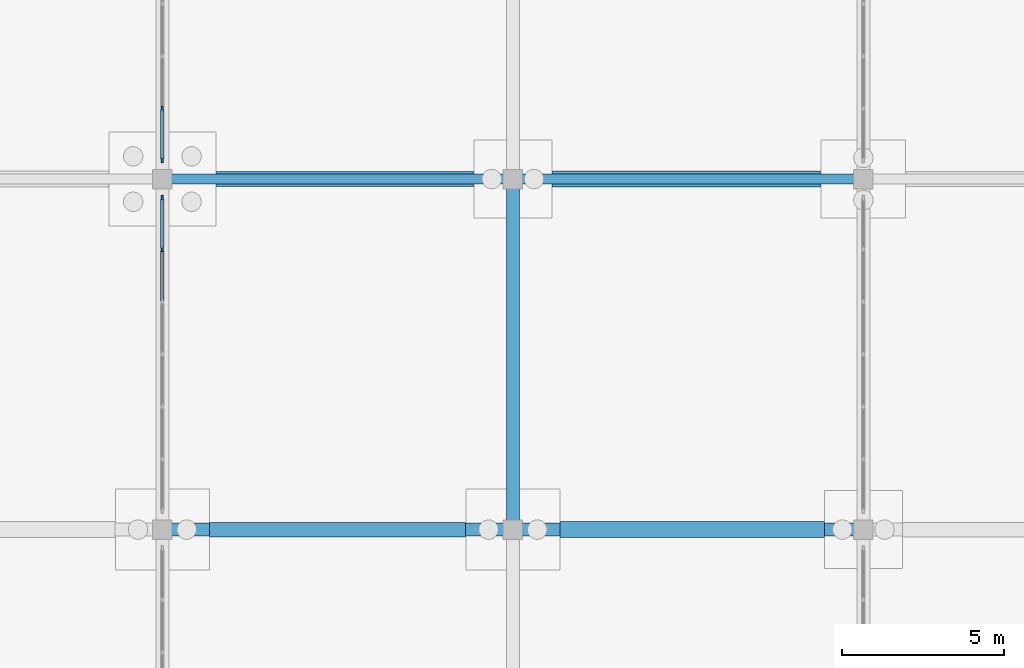
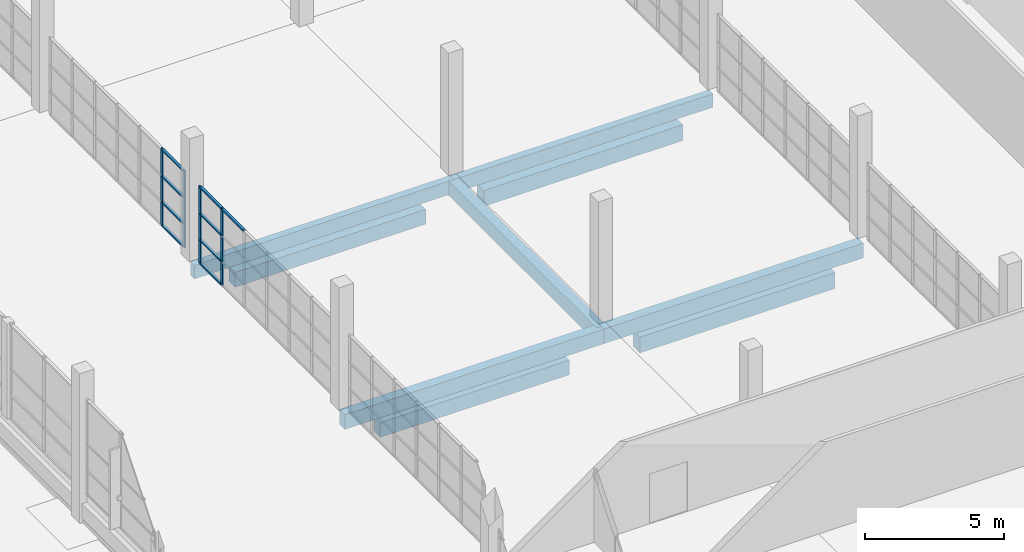
# One storey, part 23 of 138: 13 members, 9 beams, 2 elements without a shape of their own.
"""IFC4 building model written with IfcOpenShell, lengths in metres."""

from ifc_helpers import new_model, si_unit, direction, frame, origin, origin_2d, place, context, subcontext, project, spatial, rectangle, extrude, material, material_profile, profile_set, type_object, element, aggregate, save


model = new_model("IFC4")

# Units and contexts
model_context = context("Model", 3, precision=1e-05, world=origin(), true_north=direction((0.0, 1.0)))
body_context = subcontext(model_context, "Body", "Model", "MODEL_VIEW")
ifc_project = project(units=[si_unit("LENGTHUNIT", "METRE"), si_unit("AREAUNIT", "SQUARE_METRE"), si_unit("VOLUMEUNIT", "CUBIC_METRE"), si_unit("PLANEANGLEUNIT", "RADIAN"), si_unit("MASSUNIT", "GRAM", prefix="KILO")], contexts=[model_context])

# Site, building, storey
site_placement = place(None, origin())
site = spatial("IfcSite", under=ifc_project, at=site_placement, CompositionType="ELEMENT")
building_placement = place(site_placement, origin())
building = spatial("IfcBuilding", under=site, at=building_placement, Name="Zwinboog Wholesale Market", CompositionType="ELEMENT")
storey_placement = place(building_placement, origin())
storey = spatial("IfcBuildingStorey", under=building, at=storey_placement, Name="L00", CompositionType="ELEMENT", Elevation=0.0)

# Beams
ifc_material_1 = material(Name="Precast concrete C45/55", Category="concrete")
ifc_material_profile_1 = material_profile(ifc_material_1, rectangle(XDim=0.39990234375, YDim=0.64990234375, at=origin_2d()), Name="PC 400x650")
ifc_profile_set_1 = profile_set([ifc_material_profile_1], Name="Precast concrete C45/55")
beam_type_1 = type_object("IfcBeamType", Name="BT-05", PredefinedType="BEAM", material=ifc_profile_set_1)
beam_1_placement = place(storey_placement, frame((10.800048828125, 32.39990234375, -0.680908203125), z_axis=(1.0, 0.0, 0.0), x_axis=(0.0, 1.0, 0.0)))
element("IfcBeam", 1, at=beam_1_placement, inside=storey, type_object=beam_type_1, Name="BG-05 (BMG-L00-0108-0324-0044)", PredefinedType="BEAM", context=body_context, shape_type="SweptSolid", body=[
    extrude(rectangle(XDim=0.39990234375, YDim=0.64990234375, at=origin_2d()), origin(), (0.0, 0.0, 1.0), 10.800048828125),
])
beam_2_placement = place(storey_placement, frame((21.60009765625, 32.39990234375, -0.680908203125), z_axis=(1.0, 0.0, 0.0), x_axis=(0.0, 1.0, 0.0)))
element("IfcBeam", 2, at=beam_2_placement, inside=storey, type_object=beam_type_1, Name="BG-05 (BMG-L00-0216-0324-0045)", PredefinedType="BEAM", context=body_context, shape_type="SweptSolid", body=[
    extrude(rectangle(XDim=0.39990234375, YDim=0.64990234375, at=origin_2d()), origin(), (0.0, 0.0, 1.0), 10.7998046875),
])
beam_3_placement = place(storey_placement, frame((21.60009765625, 32.39990234375, -0.680908203125), z_axis=(0.0, 1.0, 0.0), x_axis=(-1.0, 0.0, 0.0)))
element("IfcBeam", 3, at=beam_3_placement, inside=storey, type_object=beam_type_1, Name="BG-05 (BMG-L00-0216-0324-0238)", PredefinedType="BEAM", context=body_context, shape_type="SweptSolid", body=[
    extrude(rectangle(XDim=0.39990234375, YDim=0.64990234375, at=origin_2d()), origin(), (0.0, 0.0, 1.0), 10.800048828125),
])
ifc_material_profile_2 = material_profile(ifc_material_1, rectangle(XDim=0.300048828125, YDim=0.60009765625, at=origin_2d()), Name="PC 300x600")
ifc_profile_set_2 = profile_set([ifc_material_profile_2], Name="Precast concrete C45/55")
beam_type_2 = type_object("IfcBeamType", Name="BT-09", PredefinedType="SPANDREL", material=ifc_profile_set_2)
beam_4_placement = place(storey_placement, frame((10.800048828125, 43.199951171875, -0.656005859375), z_axis=(1.0, 0.0, 0.0), x_axis=(0.0, 1.0, 0.0)))
element("IfcBeam", 4, at=beam_4_placement, inside=storey, type_object=beam_type_2, Name="SP-02 (BMG-L00-0108-0432-0056)", PredefinedType="SPANDREL", context=body_context, shape_type="SweptSolid", body=[
    extrude(rectangle(XDim=0.300048828125, YDim=0.60009765625, at=origin_2d()), origin(), (0.0, 0.0, 1.0), 10.800048828125),
])
beam_5_placement = place(storey_placement, frame((21.60009765625, 43.199951171875, -0.656005859375), z_axis=(1.0, 0.0, 0.0), x_axis=(0.0, 1.0, 0.0)))
element("IfcBeam", 5, at=beam_5_placement, inside=storey, type_object=beam_type_2, Name="SP-02 (BMG-L00-0216-0432-0057)", PredefinedType="SPANDREL", context=body_context, shape_type="SweptSolid", body=[
    extrude(rectangle(XDim=0.300048828125, YDim=0.60009765625, at=origin_2d()), origin(), (0.0, 0.0, 1.0), 10.7998046875),
])
ifc_material_2 = material(Name="Concrete C35/45", Category="concrete")
ifc_material_profile_3 = material_profile(ifc_material_2, rectangle(XDim=0.5, YDim=0.699951171875, at=origin_2d()), Name="RC 500x700")
ifc_profile_set_3 = profile_set([ifc_material_profile_3], Name="Concrete C35/45")
beam_type_3 = type_object("IfcBeamType", Name="BT-12", PredefinedType="USERDEFINED", material=ifc_profile_set_3)
beam_6_placement = place(storey_placement, frame((23.054931640625, 32.39990234375, -1.550048828125), z_axis=(1.0, 0.0, 0.0), x_axis=(0.0, 1.0, 0.0)))
element("IfcBeam", 6, at=beam_6_placement, inside=storey, type_object=beam_type_3, Name="GB-01 (BM-GB-0017)", ObjectType="GROUND_BEAM", PredefinedType="USERDEFINED", context=body_context, shape_type="SweptSolid", body=[
    extrude(rectangle(XDim=0.5, YDim=0.699951171875, at=origin_2d()), origin(), (0.0, 0.0, 1.0), 8.14013671875),
])
beam_7_placement = place(storey_placement, frame((22.804931640625, 43.199951171875, -1.550048828125), z_axis=(1.0, 0.0, 0.0), x_axis=(0.0, 1.0, 0.0)))
element("IfcBeam", 7, at=beam_7_placement, inside=storey, type_object=beam_type_3, Name="GB-01 (BM-GB-0035)", ObjectType="GROUND_BEAM", PredefinedType="USERDEFINED", context=body_context, shape_type="SweptSolid", body=[
    extrude(rectangle(XDim=0.5, YDim=0.699951171875, at=origin_2d()), origin(), (0.0, 0.0, 1.0), 8.2900390625),
])
ifc_material_profile_4 = material_profile(ifc_material_2, rectangle(XDim=0.449951171875, YDim=0.64990234375, at=origin_2d()), Name="RC 450x650")
ifc_profile_set_4 = profile_set([ifc_material_profile_4], Name="Concrete C35/45")
beam_type_4 = type_object("IfcBeamType", Name="BT-13", PredefinedType="USERDEFINED", material=ifc_profile_set_4)
beam_8_placement = place(storey_placement, frame((12.2548828125, 32.39990234375, -1.52490234375), z_axis=(1.0, 0.0, 0.0), x_axis=(0.0, 1.0, 0.0)))
element("IfcBeam", 8, at=beam_8_placement, inside=storey, type_object=beam_type_4, Name="GB-02 (BM-GB-0016)", ObjectType="GROUND_BEAM", PredefinedType="USERDEFINED", context=body_context, shape_type="SweptSolid", body=[
    extrude(rectangle(XDim=0.449951171875, YDim=0.64990234375, at=origin_2d()), origin(), (0.0, 0.0, 1.0), 7.89013671875),
])
beam_9_placement = place(storey_placement, frame((12.455078125, 43.199951171875, -1.52490234375), z_axis=(1.0, 0.0, 0.0), x_axis=(0.0, 1.0, 0.0)))
element("IfcBeam", 9, at=beam_9_placement, inside=storey, type_object=beam_type_4, Name="GB-02 (BM-GB-0034)", ObjectType="GROUND_BEAM", PredefinedType="USERDEFINED", context=body_context, shape_type="SweptSolid", body=[
    extrude(rectangle(XDim=0.449951171875, YDim=0.64990234375, at=origin_2d()), origin(), (0.0, 0.0, 1.0), 7.93994140625),
])

# Curtain wall, members
ifc_material_3 = material(Name="Aluminium thermally broken curtain wall", Category="aluminium")
curtain_wall_type = type_object("IfcCurtainWallType", Name="CWT-INT-STALL", PredefinedType="USERDEFINED", material=ifc_material_3)
curtain_wall_1_placement = place(storey_placement, origin())
curtain_wall_1 = element("IfcCurtainWall", 10, at=curtain_wall_1_placement, inside=storey, type_object=curtain_wall_type, Name="CW-07 (CW-STL-212)", ObjectType="STOREFRONT_GLAZING", PredefinedType="USERDEFINED")
ifc_material_4 = material(Name="Aluminium EN AW-6060", Category="aluminium")
ifc_material_profile_5 = material_profile(ifc_material_4, rectangle(XDim=0.06005859375, YDim=0.14990234375, at=origin_2d()), Name="AL 60x150")
ifc_profile_set_5 = profile_set([ifc_material_profile_5], Name="Aluminium EN AW-6060")
member_type_1 = type_object("IfcMemberType", Name="CWM-INT-60x120", PredefinedType="MULLION", material=ifc_profile_set_5)
member_1_placement = place(storey_placement, frame((10.800048828125, 41.033447265625, 0.0), z_axis=(0.0, 0.0, 1.0), x_axis=(-1.0, 0.0, 0.0)))
member_1 = element("IfcMember", 11, at=member_1_placement, type_object=member_type_1, Name="CW-07 mullion 6", PredefinedType="MULLION", context=body_context, shape_type="SweptSolid", body=[
    extrude(rectangle(XDim=0.06005859375, YDim=0.14990234375, at=origin_2d()), origin(), (0.0, 0.0, 1.0), 3.39990234375),
])
member_2_placement = place(storey_placement, frame((10.800048828125, 42.6201171875, 0.0), z_axis=(0.0, 0.0, 1.0), x_axis=(-1.0, 0.0, 0.0)))
member_2 = element("IfcMember", 12, at=member_2_placement, type_object=member_type_1, Name="CW-07 mullion 7", PredefinedType="MULLION", context=body_context, shape_type="SweptSolid", body=[
    extrude(rectangle(XDim=0.06005859375, YDim=0.14990234375, at=origin_2d()), origin(), (0.0, 0.0, 1.0), 3.39990234375),
])

curtain_wall_2_placement = place(storey_placement, origin())
curtain_wall_2 = element("IfcCurtainWall", 13, at=curtain_wall_2_placement, inside=storey, type_object=curtain_wall_type, Name="CW-07 (CW-STL-213)", ObjectType="STOREFRONT_GLAZING", PredefinedType="USERDEFINED")
member_3_placement = place(storey_placement, frame((10.800048828125, 43.780029296875, 0.0), z_axis=(0.0, 0.0, 1.0), x_axis=(-1.0, 0.0, 0.0)))
member_3 = element("IfcMember", 14, at=member_3_placement, type_object=member_type_1, Name="CW-07 mullion 1", PredefinedType="MULLION", context=body_context, shape_type="SweptSolid", body=[
    extrude(rectangle(XDim=0.06005859375, YDim=0.14990234375, at=origin_2d()), origin(), (0.0, 0.0, 1.0), 3.39990234375),
])
member_4_placement = place(storey_placement, frame((10.800048828125, 45.36669921875, 0.0), z_axis=(0.0, 0.0, 1.0), x_axis=(-1.0, 0.0, 0.0)))
member_4 = element("IfcMember", 15, at=member_4_placement, type_object=member_type_1, Name="CW-07 mullion 2", PredefinedType="MULLION", context=body_context, shape_type="SweptSolid", body=[
    extrude(rectangle(XDim=0.06005859375, YDim=0.14990234375, at=origin_2d()), origin(), (0.0, 0.0, 1.0), 3.39990234375),
])

# Member
ifc_material_profile_6 = material_profile(ifc_material_4, rectangle(XDim=0.110107421875, YDim=0.06005859375, at=origin_2d()), Name="AL 60x110")
ifc_profile_set_6 = profile_set([ifc_material_profile_6], Name="Aluminium EN AW-6060")
member_type_2 = type_object("IfcMemberType", Name="CWT-INT-60x100", PredefinedType="USERDEFINED", material=ifc_profile_set_6)
member_5_placement = place(storey_placement, frame((10.800048828125, 39.44677734375, 3.3701171875), z_axis=(0.0, 1.0, 0.0), x_axis=(-1.0, 0.0, 0.0)))
member_5 = element("IfcMember", 16, at=member_5_placement, type_object=member_type_2, Name="CW-07 transom 5.4", ObjectType="TRANSOM", PredefinedType="USERDEFINED", context=body_context, shape_type="SweptSolid", body=[
    extrude(rectangle(XDim=0.110107421875, YDim=0.06005859375, at=origin_2d()), origin(), (0.0, 0.0, 1.0), 1.556640625),
])

member_6_placement = place(storey_placement, frame((10.800048828125, 41.063232421875, 0.030029296875), z_axis=(0.0, 1.0, 0.0), x_axis=(-1.0, 0.0, 0.0)))
member_6 = element("IfcMember", 17, at=member_6_placement, type_object=member_type_2, Name="CW-07 transom 6.1", ObjectType="TRANSOM", PredefinedType="USERDEFINED", context=body_context, shape_type="SweptSolid", body=[
    extrude(rectangle(XDim=0.110107421875, YDim=0.06005859375, at=origin_2d()), origin(), (0.0, 0.0, 1.0), 1.52685546875),
])

member_7_placement = place(storey_placement, frame((10.800048828125, 41.063232421875, 1.050048828125), z_axis=(0.0, 1.0, 0.0), x_axis=(-1.0, 0.0, 0.0)))
member_7 = element("IfcMember", 18, at=member_7_placement, type_object=member_type_2, Name="CW-07 transom 6.2", ObjectType="TRANSOM", PredefinedType="USERDEFINED", context=body_context, shape_type="SweptSolid", body=[
    extrude(rectangle(XDim=0.110107421875, YDim=0.06005859375, at=origin_2d()), origin(), (0.0, 0.0, 1.0), 1.52685546875),
])

member_8_placement = place(storey_placement, frame((10.800048828125, 41.063232421875, 2.199951171875), z_axis=(0.0, 1.0, 0.0), x_axis=(-1.0, 0.0, 0.0)))
member_8 = element("IfcMember", 19, at=member_8_placement, type_object=member_type_2, Name="CW-07 transom 6.3", ObjectType="TRANSOM", PredefinedType="USERDEFINED", context=body_context, shape_type="SweptSolid", body=[
    extrude(rectangle(XDim=0.110107421875, YDim=0.06005859375, at=origin_2d()), origin(), (0.0, 0.0, 1.0), 1.52685546875),
])

member_9_placement = place(storey_placement, frame((10.800048828125, 41.063232421875, 3.3701171875), z_axis=(0.0, 1.0, 0.0), x_axis=(-1.0, 0.0, 0.0)))
member_9 = element("IfcMember", 20, at=member_9_placement, type_object=member_type_2, Name="CW-07 transom 6.4", ObjectType="TRANSOM", PredefinedType="USERDEFINED", context=body_context, shape_type="SweptSolid", body=[
    extrude(rectangle(XDim=0.110107421875, YDim=0.06005859375, at=origin_2d()), origin(), (0.0, 0.0, 1.0), 1.52685546875),
])

aggregate(curtain_wall_1, [member_1, member_2, member_5, member_6, member_7, member_8, member_9])

member_10_placement = place(storey_placement, frame((10.800048828125, 43.81005859375, 0.030029296875), z_axis=(0.0, 1.0, 0.0), x_axis=(-1.0, 0.0, 0.0)))
member_10 = element("IfcMember", 21, at=member_10_placement, type_object=member_type_2, Name="CW-07 transom 1.1", ObjectType="TRANSOM", PredefinedType="USERDEFINED", context=body_context, shape_type="SweptSolid", body=[
    extrude(rectangle(XDim=0.110107421875, YDim=0.06005859375, at=origin_2d()), origin(), (0.0, 0.0, 1.0), 1.526611328125),
])

member_11_placement = place(storey_placement, frame((10.800048828125, 43.81005859375, 1.050048828125), z_axis=(0.0, 1.0, 0.0), x_axis=(-1.0, 0.0, 0.0)))
member_11 = element("IfcMember", 22, at=member_11_placement, type_object=member_type_2, Name="CW-07 transom 1.2", ObjectType="TRANSOM", PredefinedType="USERDEFINED", context=body_context, shape_type="SweptSolid", body=[
    extrude(rectangle(XDim=0.110107421875, YDim=0.06005859375, at=origin_2d()), origin(), (0.0, 0.0, 1.0), 1.526611328125),
])

member_12_placement = place(storey_placement, frame((10.800048828125, 43.81005859375, 2.199951171875), z_axis=(0.0, 1.0, 0.0), x_axis=(-1.0, 0.0, 0.0)))
member_12 = element("IfcMember", 23, at=member_12_placement, type_object=member_type_2, Name="CW-07 transom 1.3", ObjectType="TRANSOM", PredefinedType="USERDEFINED", context=body_context, shape_type="SweptSolid", body=[
    extrude(rectangle(XDim=0.110107421875, YDim=0.06005859375, at=origin_2d()), origin(), (0.0, 0.0, 1.0), 1.526611328125),
])

member_13_placement = place(storey_placement, frame((10.800048828125, 43.81005859375, 3.3701171875), z_axis=(0.0, 1.0, 0.0), x_axis=(-1.0, 0.0, 0.0)))
member_13 = element("IfcMember", 24, at=member_13_placement, type_object=member_type_2, Name="CW-07 transom 1.4", ObjectType="TRANSOM", PredefinedType="USERDEFINED", context=body_context, shape_type="SweptSolid", body=[
    extrude(rectangle(XDim=0.110107421875, YDim=0.06005859375, at=origin_2d()), origin(), (0.0, 0.0, 1.0), 1.526611328125),
])

aggregate(curtain_wall_2, [member_3, member_4, member_10, member_11, member_12, member_13])

save(model, "model.ifc")
